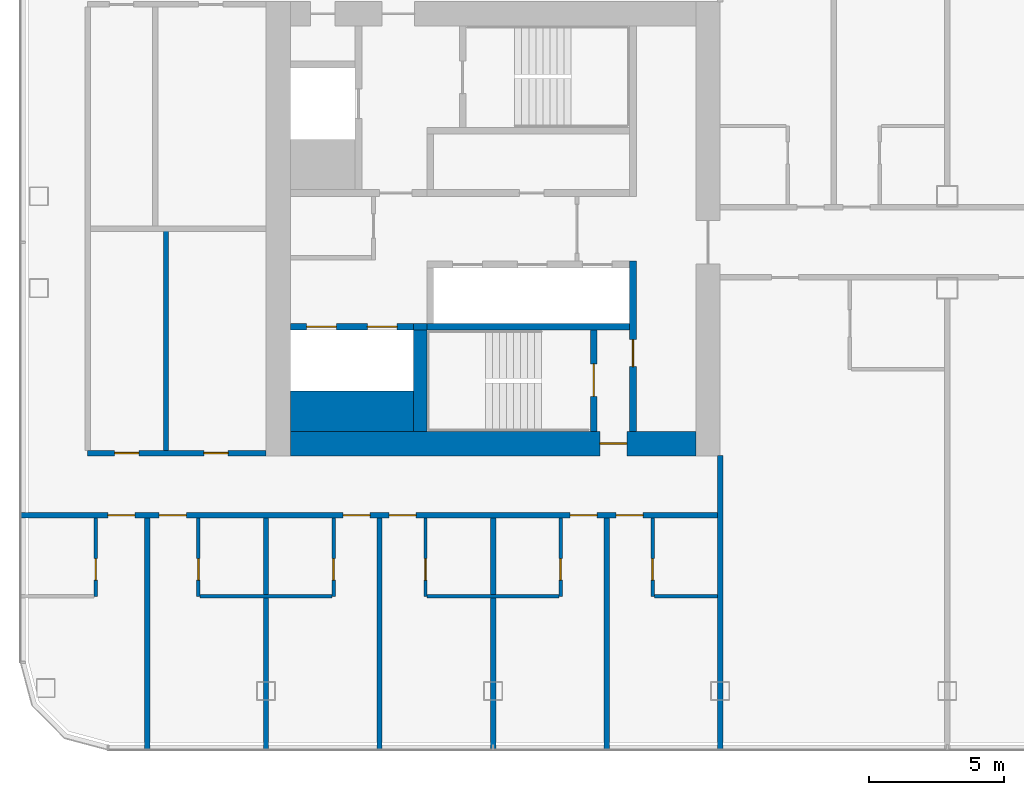
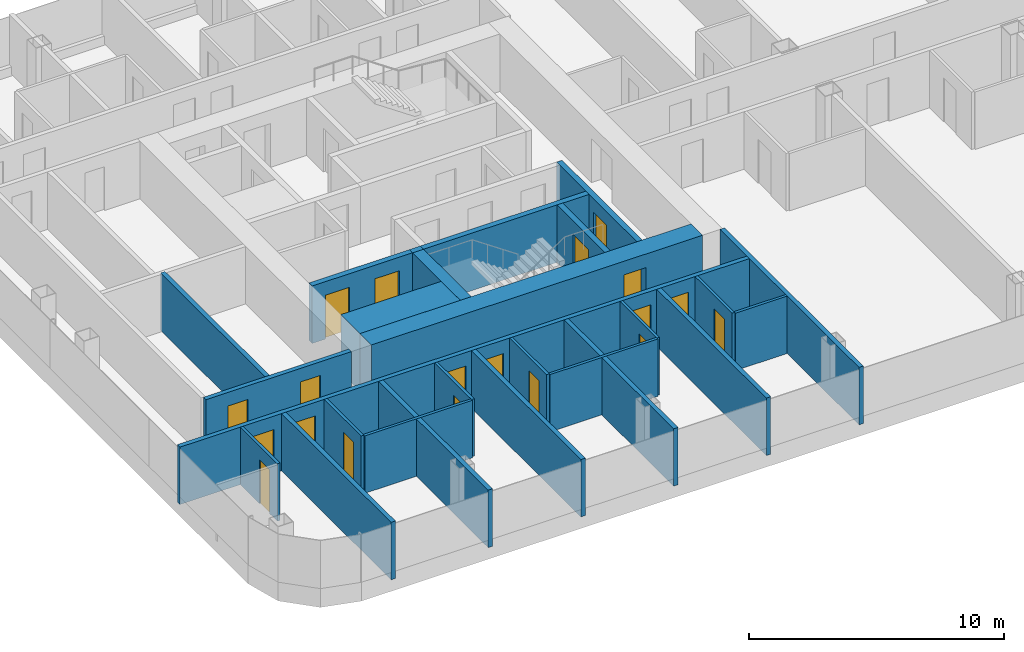
# One storey, part 12 of 26: 26 walls, 19 doors, 19 openings.
"""IFC4 building model written with IfcOpenShell, lengths in metres."""

from ifc_helpers import new_model, si_unit, direction, frame, frame_2d, origin, place, context, subcontext, project, spatial, rectangle, extrude, material, layer, layer_set, type_object, element, fill, save


model = new_model("IFC4")

# Units and contexts
model_context = context("Model", 3, precision=1e-05, world=origin(), true_north=direction((0.0, 1.0)))
body_context = subcontext(model_context, "Body", "Model", "MODEL_VIEW")
ifc_project = project(units=[si_unit("LENGTHUNIT", "METRE"), si_unit("AREAUNIT", "SQUARE_METRE"), si_unit("VOLUMEUNIT", "CUBIC_METRE"), si_unit("PLANEANGLEUNIT", "RADIAN"), si_unit("MASSUNIT", "GRAM", prefix="KILO")], contexts=[model_context])

# Site, building, storey
site_placement = place(None, origin())
site = spatial("IfcSite", under=ifc_project, at=site_placement, CompositionType="ELEMENT")
building_placement = place(site_placement, origin())
building = spatial("IfcBuilding", under=site, at=building_placement, Name="Hakoniwa Tower and Hamabe Station Hall", CompositionType="ELEMENT")
storey_placement = place(building_placement, frame((0.0, 0.0, 134.199951171875)))
storey = spatial("IfcBuildingStorey", under=building, at=storey_placement, Name="L37", CompositionType="ELEMENT", Elevation=134.199951171875)

# Walls
ifc_material_1 = material(Name="Gypsum board partition", Category="gypsum")
ifc_layer_1 = layer(ifc_material_1, 0.125)
ifc_layer_set_1 = layer_set([ifc_layer_1], Name="Bathroom Partition 125")
wall_type_1 = type_object("IfcWallType", Name="Bathroom Partition 125", PredefinedType="PARTITIONING", material=ifc_layer_set_1)
for number, where, z_axis, x_axis, name in (
    (1, (-36.03759765625, -13.60009765625, 0.0), (0.0, 0.0, 1.0), (1.0, 0.0, 0.0), "GW-L37-002"),
    (2, (-27.637451171875, -13.60009765625, 0.0), (0.0, 0.0, 1.0), (1.0, 0.0, 0.0), "GW-L37-003"),
):
    element("IfcWall", number, at=place(storey_placement, frame(where, z_axis=z_axis, x_axis=x_axis)), inside=storey, type_object=wall_type_1, Name=name, PredefinedType="PARTITIONING", context=body_context, shape_type="SweptSolid", body=[
        extrude(rectangle(XDim=4.875, YDim=0.125, at=frame_2d((2.4375, 0.0))), origin(), (0.0, 0.0, 1.0), 2.75),
    ])
wall_1_placement = place(storey_placement, frame((-19.237548828125, -13.60009765625, 0.0), z_axis=(0.0, 0.0, 1.0), x_axis=(1.0, 0.0, 0.0)))
element("IfcWall", 3, at=wall_1_placement, inside=storey, type_object=wall_type_1, Name="GW-L37-004", PredefinedType="PARTITIONING", context=body_context, shape_type="SweptSolid", body=[
    extrude(rectangle(XDim=2.337646484375, YDim=0.125, at=frame_2d((1.1689453125, 0.0))), origin(), (0.0, 0.0, 1.0), 2.75),
])

# Wall, opening, door
wall_2_placement = place(storey_placement, frame((-39.89990234375, -13.60009765625, 0.0), z_axis=(0.0, 0.0, 1.0), x_axis=(0.0, 1.0, 0.0)))
wall_2 = element("IfcWall", 4, at=wall_2_placement, inside=storey, type_object=wall_type_1, Name="GW-L37-035", PredefinedType="PARTITIONING", context=body_context, shape_type="SweptSolid", body=[
    extrude(rectangle(XDim=2.900146484375, YDim=0.125, at=frame_2d((1.4501953125, 0.0))), origin(), (0.0, 0.0, 1.0), 2.75),
])
opening_1_placement = place(wall_2_placement, frame((0.60009765625, 0.0, 0.0)))
opening_1 = element("IfcOpeningElement", 5, at=opening_1_placement, cuts=wall_2, Name="Opening GD-G3B0-43", PredefinedType="OPENING", context=body_context, shape_type="SweptSolid", body=[
    extrude(rectangle(XDim=0.800048828125, YDim=2.10009765625, at=frame_2d((0.39990234375, 1.050048828125))), frame((0.0, 0.072509765625, 0.0), z_axis=(0.0, -1.0, 0.0), x_axis=(1.0, 0.0, 0.0)), (0.0, 0.0, 1.0), 0.14501953125),
])
ifc_material_2 = material(Name="Timber door leaf", Category="wood")
door_type_1 = type_object("IfcDoorType", Name="Bathroom Door 800", OperationType="SINGLE_SWING_LEFT", PredefinedType="DOOR", material=ifc_material_2)
door_1_placement = place(opening_1_placement, origin())
door_1 = element("IfcDoor", 6, at=door_1_placement, inside=storey, type_object=door_type_1, Name="Door GD-G3B0-43", OperationType="SINGLE_SWING_RIGHT", OverallHeight=2.10009765625, OverallWidth=0.800048828125, PredefinedType="DOOR", context=body_context, shape_type="SweptSolid", body=[
    extrude(rectangle(XDim=0.800048828125, YDim=2.10009765625, at=frame_2d((0.39990234375, 1.050048828125))), frame((0.0, 0.02490234375, 0.0), z_axis=(0.0, -1.0, 0.0), x_axis=(1.0, 0.0, 0.0)), (0.0, 0.0, 1.0), 0.050048828125),
])
fill(opening_1, door_1)

wall_3_placement = place(storey_placement, frame((-36.10009765625, -13.60009765625, 0.0), z_axis=(0.0, 0.0, 1.0), x_axis=(0.0, 1.0, 0.0)))
wall_3 = element("IfcWall", 7, at=wall_3_placement, inside=storey, type_object=wall_type_1, Name="GW-L37-041", PredefinedType="PARTITIONING", context=body_context, shape_type="SweptSolid", body=[
    extrude(rectangle(XDim=2.900146484375, YDim=0.125, at=frame_2d((1.4501953125, 0.0))), origin(), (0.0, 0.0, 1.0), 2.75),
])
opening_2_placement = place(wall_3_placement, frame((0.60009765625, 0.0, 0.0)))
opening_2 = element("IfcOpeningElement", 8, at=opening_2_placement, cuts=wall_3, Name="Opening GD-G3B0-45", PredefinedType="OPENING", context=body_context, shape_type="SweptSolid", body=[
    extrude(rectangle(XDim=0.800048828125, YDim=2.10009765625, at=frame_2d((0.39990234375, 1.050048828125))), frame((0.0, 0.072509765625, 0.0), z_axis=(0.0, -1.0, 0.0), x_axis=(1.0, 0.0, 0.0)), (0.0, 0.0, 1.0), 0.14501953125),
])
door_2_placement = place(opening_2_placement, origin())
door_2 = element("IfcDoor", 9, at=door_2_placement, inside=storey, type_object=door_type_1, Name="Door GD-G3B0-45", OperationType="SINGLE_SWING_LEFT", OverallHeight=2.10009765625, OverallWidth=0.800048828125, PredefinedType="DOOR", context=body_context, shape_type="SweptSolid", body=[
    extrude(rectangle(XDim=0.800048828125, YDim=2.10009765625, at=frame_2d((0.39990234375, 1.050048828125))), frame((0.0, 0.02490234375, 0.0), z_axis=(0.0, -1.0, 0.0), x_axis=(1.0, 0.0, 0.0)), (0.0, 0.0, 1.0), 0.050048828125),
])
fill(opening_2, door_2)

wall_4_placement = place(storey_placement, frame((-31.10009765625, -13.60009765625, 0.0), z_axis=(0.0, 0.0, 1.0), x_axis=(0.0, 1.0, 0.0)))
wall_4 = element("IfcWall", 10, at=wall_4_placement, inside=storey, type_object=wall_type_1, Name="GW-L37-045", PredefinedType="PARTITIONING", context=body_context, shape_type="SweptSolid", body=[
    extrude(rectangle(XDim=2.900146484375, YDim=0.125, at=frame_2d((1.4501953125, 0.0))), origin(), (0.0, 0.0, 1.0), 2.75),
])
opening_3_placement = place(wall_4_placement, frame((0.60009765625, 0.0, 0.0)))
opening_3 = element("IfcOpeningElement", 11, at=opening_3_placement, cuts=wall_4, Name="Opening GD-G3B0-47", PredefinedType="OPENING", context=body_context, shape_type="SweptSolid", body=[
    extrude(rectangle(XDim=0.800048828125, YDim=2.10009765625, at=frame_2d((0.39990234375, 1.050048828125))), frame((0.0, 0.072509765625, 0.0), z_axis=(0.0, -1.0, 0.0), x_axis=(1.0, 0.0, 0.0)), (0.0, 0.0, 1.0), 0.14501953125),
])
door_3_placement = place(opening_3_placement, origin())
door_3 = element("IfcDoor", 12, at=door_3_placement, inside=storey, type_object=door_type_1, Name="Door GD-G3B0-47", OperationType="SINGLE_SWING_RIGHT", OverallHeight=2.10009765625, OverallWidth=0.800048828125, PredefinedType="DOOR", context=body_context, shape_type="SweptSolid", body=[
    extrude(rectangle(XDim=0.800048828125, YDim=2.10009765625, at=frame_2d((0.39990234375, 1.050048828125))), frame((0.0, 0.02490234375, 0.0), z_axis=(0.0, -1.0, 0.0), x_axis=(1.0, 0.0, 0.0)), (0.0, 0.0, 1.0), 0.050048828125),
])
fill(opening_3, door_3)

wall_5_placement = place(storey_placement, frame((-27.699951171875, -13.60009765625, 0.0), z_axis=(0.0, 0.0, 1.0), x_axis=(0.0, 1.0, 0.0)))
wall_5 = element("IfcWall", 13, at=wall_5_placement, inside=storey, type_object=wall_type_1, Name="GW-L37-049", PredefinedType="PARTITIONING", context=body_context, shape_type="SweptSolid", body=[
    extrude(rectangle(XDim=2.900146484375, YDim=0.125, at=frame_2d((1.4501953125, 0.0))), origin(), (0.0, 0.0, 1.0), 2.75),
])
opening_4_placement = place(wall_5_placement, frame((0.60009765625, 0.0, 0.0)))
opening_4 = element("IfcOpeningElement", 14, at=opening_4_placement, cuts=wall_5, Name="Opening GD-G3B0-49", PredefinedType="OPENING", context=body_context, shape_type="SweptSolid", body=[
    extrude(rectangle(XDim=0.800048828125, YDim=2.10009765625, at=frame_2d((0.39990234375, 1.050048828125))), frame((0.0, 0.072509765625, 0.0), z_axis=(0.0, -1.0, 0.0), x_axis=(1.0, 0.0, 0.0)), (0.0, 0.0, 1.0), 0.14501953125),
])
door_4_placement = place(opening_4_placement, origin())
door_4 = element("IfcDoor", 15, at=door_4_placement, inside=storey, type_object=door_type_1, Name="Door GD-G3B0-49", OperationType="SINGLE_SWING_LEFT", OverallHeight=2.10009765625, OverallWidth=0.800048828125, PredefinedType="DOOR", context=body_context, shape_type="SweptSolid", body=[
    extrude(rectangle(XDim=0.800048828125, YDim=2.10009765625, at=frame_2d((0.39990234375, 1.050048828125))), frame((0.0, 0.02490234375, 0.0), z_axis=(0.0, -1.0, 0.0), x_axis=(1.0, 0.0, 0.0)), (0.0, 0.0, 1.0), 0.050048828125),
])
fill(opening_4, door_4)

wall_6_placement = place(storey_placement, frame((-22.699951171875, -13.60009765625, 0.0), z_axis=(0.0, 0.0, 1.0), x_axis=(0.0, 1.0, 0.0)))
wall_6 = element("IfcWall", 16, at=wall_6_placement, inside=storey, type_object=wall_type_1, Name="GW-L37-053", PredefinedType="PARTITIONING", context=body_context, shape_type="SweptSolid", body=[
    extrude(rectangle(XDim=2.900146484375, YDim=0.125, at=frame_2d((1.4501953125, 0.0))), origin(), (0.0, 0.0, 1.0), 2.75),
])
opening_5_placement = place(wall_6_placement, frame((0.60009765625, 0.0, 0.0)))
opening_5 = element("IfcOpeningElement", 17, at=opening_5_placement, cuts=wall_6, Name="Opening GD-G3B0-51", PredefinedType="OPENING", context=body_context, shape_type="SweptSolid", body=[
    extrude(rectangle(XDim=0.800048828125, YDim=2.10009765625, at=frame_2d((0.39990234375, 1.050048828125))), frame((0.0, 0.072509765625, 0.0), z_axis=(0.0, -1.0, 0.0), x_axis=(1.0, 0.0, 0.0)), (0.0, 0.0, 1.0), 0.14501953125),
])
door_5_placement = place(opening_5_placement, origin())
door_5 = element("IfcDoor", 18, at=door_5_placement, inside=storey, type_object=door_type_1, Name="Door GD-G3B0-51", OperationType="SINGLE_SWING_RIGHT", OverallHeight=2.10009765625, OverallWidth=0.800048828125, PredefinedType="DOOR", context=body_context, shape_type="SweptSolid", body=[
    extrude(rectangle(XDim=0.800048828125, YDim=2.10009765625, at=frame_2d((0.39990234375, 1.050048828125))), frame((0.0, 0.02490234375, 0.0), z_axis=(0.0, -1.0, 0.0), x_axis=(1.0, 0.0, 0.0)), (0.0, 0.0, 1.0), 0.050048828125),
])
fill(opening_5, door_5)

wall_7_placement = place(storey_placement, frame((-19.300048828125, -13.60009765625, 0.0), z_axis=(0.0, 0.0, 1.0), x_axis=(0.0, 1.0, 0.0)))
wall_7 = element("IfcWall", 19, at=wall_7_placement, inside=storey, type_object=wall_type_1, Name="GW-L37-057", PredefinedType="PARTITIONING", context=body_context, shape_type="SweptSolid", body=[
    extrude(rectangle(XDim=2.900146484375, YDim=0.125, at=frame_2d((1.4501953125, 0.0))), origin(), (0.0, 0.0, 1.0), 2.75),
])
opening_6_placement = place(wall_7_placement, frame((0.60009765625, 0.0, 0.0)))
opening_6 = element("IfcOpeningElement", 20, at=opening_6_placement, cuts=wall_7, Name="Opening GD-G3B0-53", PredefinedType="OPENING", context=body_context, shape_type="SweptSolid", body=[
    extrude(rectangle(XDim=0.800048828125, YDim=2.10009765625, at=frame_2d((0.39990234375, 1.050048828125))), frame((0.0, 0.072509765625, 0.0), z_axis=(0.0, -1.0, 0.0), x_axis=(1.0, 0.0, 0.0)), (0.0, 0.0, 1.0), 0.14501953125),
])
door_6_placement = place(opening_6_placement, origin())
door_6 = element("IfcDoor", 21, at=door_6_placement, inside=storey, type_object=door_type_1, Name="Door GD-G3B0-53", OperationType="SINGLE_SWING_LEFT", OverallHeight=2.10009765625, OverallWidth=0.800048828125, PredefinedType="DOOR", context=body_context, shape_type="SweptSolid", body=[
    extrude(rectangle(XDim=0.800048828125, YDim=2.10009765625, at=frame_2d((0.39990234375, 1.050048828125))), frame((0.0, 0.02490234375, 0.0), z_axis=(0.0, -1.0, 0.0), x_axis=(1.0, 0.0, 0.0)), (0.0, 0.0, 1.0), 0.050048828125),
])
fill(opening_6, door_6)

ifc_material_3 = material(Name="Concrete C66", Category="concrete")
ifc_layer_2 = layer(ifc_material_3, 0.89990234375)
ifc_layer_set_2 = layer_set([ifc_layer_2], Name="CORE WALL 900 C66")
wall_type_2 = type_object("IfcWallType", Name="CORE WALL 900 C66", PredefinedType="SHEAR", material=ifc_layer_set_2)
wall_8_placement = place(storey_placement, frame((-32.699951171875, -7.949951171875, 0.0), z_axis=(0.0, 0.0, 1.0), x_axis=(1.0, 0.0, 0.0)))
wall_8 = element("IfcWall", 22, at=wall_8_placement, inside=storey, type_object=wall_type_2, Name="Core wall SOUTH west", PredefinedType="SHEAR", context=body_context, shape_type="SweptSolid", body=[
    extrude(rectangle(XDim=15.0, YDim=0.89990234375, at=frame_2d((7.5, 0.0))), origin(), (0.0, 0.0, 1.0), 2.75),
])
opening_7_placement = place(wall_8_placement, frame((11.449951171875, 0.0, 0.0)))
opening_7 = element("IfcOpeningElement", 23, at=opening_7_placement, cuts=wall_8, Name="Opening CD-W-FS3-10", PredefinedType="OPENING", context=body_context, shape_type="SweptSolid", body=[
    extrude(rectangle(XDim=1.0, YDim=2.10009765625, at=frame_2d((0.5, 1.050048828125))), frame((0.0, 0.4599609375, 0.0), z_axis=(0.0, -1.0, 0.0), x_axis=(1.0, 0.0, 0.0)), (0.0, 0.0, 1.0), 0.919921875),
])
ifc_material_4 = material(Name="Steel fire door", Category="steel")
door_type_2 = type_object("IfcDoorType", Name="CORE DOOR 1000 FD60", OperationType="NOTDEFINED", PredefinedType="DOOR", material=ifc_material_4)
door_7_placement = place(opening_7_placement, origin())
door_7 = element("IfcDoor", 24, at=door_7_placement, inside=storey, type_object=door_type_2, Name="Stair vestibule door", OperationType="SINGLE_SWING_RIGHT", OverallHeight=2.10009765625, OverallWidth=1.0, PredefinedType="DOOR", context=body_context, shape_type="SweptSolid", body=[
    extrude(rectangle(XDim=1.0, YDim=2.10009765625, at=frame_2d((0.5, 1.050048828125))), frame((0.0, 0.02490234375, 0.0), z_axis=(0.0, -1.0, 0.0), x_axis=(1.0, 0.0, 0.0)), (0.0, 0.0, 1.0), 0.050048828125),
])
fill(opening_7, door_7)

# Wall
ifc_material_5 = material(Name="Concrete C66", Category="concrete")
ifc_layer_3 = layer(ifc_material_5, 1.5)
ifc_layer_set_3 = layer_set([ifc_layer_3], Name="CORE WEB WALL 1500 C66")
wall_type_3 = type_object("IfcWallType", Name="CORE WEB WALL 1500 C66", PredefinedType="SHEAR", material=ifc_layer_set_3)
wall_9_placement = place(storey_placement, frame((-32.699951171875, -6.75, 0.0), z_axis=(0.0, 0.0, 1.0), x_axis=(1.0, 0.0, 0.0)))
element("IfcWall", 25, at=wall_9_placement, inside=storey, type_object=wall_type_3, Name="Core wall SER west", PredefinedType="SHEAR", context=body_context, shape_type="SweptSolid", body=[
    extrude(rectangle(XDim=4.550048828125, YDim=1.5, at=frame_2d((2.27490234375, 0.0))), origin(), (0.0, 0.0, 1.0), 2.75),
])

# Wall, opening, door
ifc_material_6 = material(Name="Concrete C66", Category="concrete")
ifc_layer_4 = layer(ifc_material_6, 0.25)
ifc_layer_set_4 = layer_set([ifc_layer_4], Name="CORE WEB WALL 250 C66")
wall_type_4 = type_object("IfcWallType", Name="CORE WEB WALL 250 C66", PredefinedType="SHEAR", material=ifc_layer_set_4)
wall_10_placement = place(storey_placement, frame((-20.02490234375, -7.5, 0.0), z_axis=(0.0, 0.0, 1.0), x_axis=(0.0, 1.0, 0.0)))
wall_10 = element("IfcWall", 26, at=wall_10_placement, inside=storey, type_object=wall_type_4, Name="Core wall W1S west", PredefinedType="SHEAR", context=body_context, shape_type="SweptSolid", body=[
    extrude(rectangle(XDim=6.300048828125, YDim=0.25, at=frame_2d((3.14990234375, 0.0))), origin(), (0.0, 0.0, 1.0), 2.75),
])
opening_8_placement = place(wall_10_placement, frame((2.39990234375, 0.0, 0.0)))
opening_8 = element("IfcOpeningElement", 27, at=opening_8_placement, cuts=wall_10, Name="Opening CD-W-VS-10", PredefinedType="OPENING", context=body_context, shape_type="SweptSolid", body=[
    extrude(rectangle(XDim=1.0, YDim=2.10009765625, at=frame_2d((0.5, 1.050048828125))), frame((0.0, 0.135009765625, 0.0), z_axis=(0.0, -1.0, 0.0), x_axis=(1.0, 0.0, 0.0)), (0.0, 0.0, 1.0), 0.27001953125),
])
door_8_placement = place(opening_8_placement, origin())
door_8 = element("IfcDoor", 28, at=door_8_placement, inside=storey, type_object=door_type_2, Name="Stair vestibule door", OperationType="SINGLE_SWING_LEFT", OverallHeight=2.10009765625, OverallWidth=1.0, PredefinedType="DOOR", context=body_context, shape_type="SweptSolid", body=[
    extrude(rectangle(XDim=1.0, YDim=2.10009765625, at=frame_2d((0.5, 1.050048828125))), frame((0.0, 0.02490234375, 0.0), z_axis=(0.0, -1.0, 0.0), x_axis=(1.0, 0.0, 0.0)), (0.0, 0.0, 1.0), 0.050048828125),
])
fill(opening_8, door_8)

# Wall
wall_11_placement = place(storey_placement, frame((-27.64990234375, -3.625, 0.0), z_axis=(0.0, 0.0, 1.0), x_axis=(1.0, 0.0, 0.0)))
element("IfcWall", 29, at=wall_11_placement, inside=storey, type_object=wall_type_4, Name="Core wall SR west", PredefinedType="SHEAR", context=body_context, shape_type="SweptSolid", body=[
    extrude(rectangle(XDim=7.5, YDim=0.25, at=frame_2d((3.75, 0.0))), origin(), (0.0, 0.0, 1.0), 2.75),
])

# Wall, opening, door
wall_12_placement = place(storey_placement, frame((-21.47509765625, -7.5, 0.0), z_axis=(0.0, 0.0, 1.0), x_axis=(0.0, 1.0, 0.0)))
wall_12 = element("IfcWall", 30, at=wall_12_placement, inside=storey, type_object=wall_type_4, Name="Core wall VE west", PredefinedType="SHEAR", context=body_context, shape_type="SweptSolid", body=[
    extrude(rectangle(XDim=3.75, YDim=0.25, at=frame_2d((1.875, 0.0))), origin(), (0.0, 0.0, 1.0), 2.75),
])
opening_9_placement = place(wall_12_placement, frame((1.300048828125, 0.0, 0.0)))
opening_9 = element("IfcOpeningElement", 31, at=opening_9_placement, cuts=wall_12, Name="Opening CD-W-SS-12", PredefinedType="OPENING", context=body_context, shape_type="SweptSolid", body=[
    extrude(rectangle(XDim=1.199951171875, YDim=2.10009765625, at=frame_2d((0.60009765625, 1.050048828125))), frame((0.0, 0.135009765625, 0.0), z_axis=(0.0, -1.0, 0.0), x_axis=(1.0, 0.0, 0.0)), (0.0, 0.0, 1.0), 0.27001953125),
])
ifc_material_7 = material(Name="Steel fire door", Category="steel")
door_type_3 = type_object("IfcDoorType", Name="CORE DOOR 1200 FD60", OperationType="DOUBLE_DOOR_SINGLE_SWING", PredefinedType="DOOR", material=ifc_material_7)
door_9_placement = place(opening_9_placement, origin())
door_9 = element("IfcDoor", 32, at=door_9_placement, inside=storey, type_object=door_type_3, Name="Escape stair door", OperationType="DOUBLE_DOOR_SINGLE_SWING", OverallHeight=2.10009765625, OverallWidth=1.199951171875, PredefinedType="DOOR", context=body_context, shape_type="SweptSolid", body=[
    extrude(rectangle(XDim=1.199951171875, YDim=2.10009765625, at=frame_2d((0.60009765625, 1.050048828125))), frame((0.0, 0.02490234375, 0.0), z_axis=(0.0, -1.0, 0.0), x_axis=(1.0, 0.0, 0.0)), (0.0, 0.0, 1.0), 0.050048828125),
])
fill(opening_9, door_9)

# Wall, openings, doors
wall_13_placement = place(storey_placement, frame((-32.699951171875, -3.625, 0.0), z_axis=(0.0, 0.0, 1.0), x_axis=(1.0, 0.0, 0.0)))
wall_13 = element("IfcWall", 33, at=wall_13_placement, inside=storey, type_object=wall_type_4, Name="Core wall SEF west", PredefinedType="SHEAR", context=body_context, shape_type="SweptSolid", body=[
    extrude(rectangle(XDim=4.550048828125, YDim=0.25, at=frame_2d((2.27490234375, 0.0))), origin(), (0.0, 0.0, 1.0), 2.75),
])
opening_10_placement = place(wall_13_placement, frame((2.85009765625, 0.0, 0.0)))
opening_10 = element("IfcOpeningElement", 34, at=opening_10_placement, cuts=wall_13, Name="Opening LD-SV1", PredefinedType="OPENING", context=body_context, shape_type="SweptSolid", body=[
    extrude(rectangle(XDim=1.10009765625, YDim=2.10009765625, at=frame_2d((0.550048828125, 1.050048828125))), frame((0.0, 0.135009765625, 0.0), z_axis=(0.0, -1.0, 0.0), x_axis=(1.0, 0.0, 0.0)), (0.0, 0.0, 1.0), 0.27001953125),
])
opening_11_placement = place(wall_13_placement, frame((0.60009765625, 0.0, 0.0)))
opening_11 = element("IfcOpeningElement", 35, at=opening_11_placement, cuts=wall_13, Name="Opening LD-SV2", PredefinedType="OPENING", context=body_context, shape_type="SweptSolid", body=[
    extrude(rectangle(XDim=1.10009765625, YDim=2.10009765625, at=frame_2d((0.550048828125, 1.050048828125))), frame((0.0, 0.135009765625, 0.0), z_axis=(0.0, -1.0, 0.0), x_axis=(1.0, 0.0, 0.0)), (0.0, 0.0, 1.0), 0.27001953125),
])
ifc_material_8 = material(Name="Stainless steel SUS304", Category="steel")
door_type_4 = type_object("IfcDoorType", Name="LIFT LANDING DOOR 1100 FD60", OperationType="DOUBLE_DOOR_SLIDING", PredefinedType="DOOR", material=ifc_material_8)
door_10_placement = place(opening_10_placement, origin())
door_10 = element("IfcDoor", 36, at=door_10_placement, inside=storey, type_object=door_type_4, Name="Lift landing door SV1 L37", OperationType="DOUBLE_DOOR_SLIDING", OverallHeight=2.10009765625, OverallWidth=1.10009765625, PredefinedType="DOOR", context=body_context, shape_type="SweptSolid", body=[
    extrude(rectangle(XDim=1.10009765625, YDim=2.10009765625, at=frame_2d((0.550048828125, 1.050048828125))), frame((0.0, 0.02490234375, 0.0), z_axis=(0.0, -1.0, 0.0), x_axis=(1.0, 0.0, 0.0)), (0.0, 0.0, 1.0), 0.050048828125),
])
fill(opening_10, door_10)
door_11_placement = place(opening_11_placement, origin())
door_11 = element("IfcDoor", 37, at=door_11_placement, inside=storey, type_object=door_type_4, Name="Lift landing door SV2 L37", OperationType="DOUBLE_DOOR_SLIDING", OverallHeight=2.10009765625, OverallWidth=1.10009765625, PredefinedType="DOOR", context=body_context, shape_type="SweptSolid", body=[
    extrude(rectangle(XDim=1.10009765625, YDim=2.10009765625, at=frame_2d((0.550048828125, 1.050048828125))), frame((0.0, 0.02490234375, 0.0), z_axis=(0.0, -1.0, 0.0), x_axis=(1.0, 0.0, 0.0)), (0.0, 0.0, 1.0), 0.050048828125),
])
fill(opening_11, door_11)

# Walls
wall_14_placement = place(storey_placement, frame((-28.14990234375, -3.625, 0.0), z_axis=(0.0, 0.0, 1.0), x_axis=(1.0, 0.0, 0.0)))
element("IfcWall", 38, at=wall_14_placement, inside=storey, type_object=wall_type_4, Name="Core wall SRK west", PredefinedType="SHEAR", context=body_context, shape_type="SweptSolid", body=[
    extrude(rectangle(XDim=0.5, YDim=0.25, at=frame_2d((0.25, 0.0))), origin(), (0.0, 0.0, 1.0), 2.75),
])
ifc_material_9 = material(Name="Concrete C66", Category="concrete")
ifc_layer_5 = layer(ifc_material_9, 0.5)
ifc_layer_set_5 = layer_set([ifc_layer_5], Name="CORE WEB WALL 500 C66")
wall_type_5 = type_object("IfcWallType", Name="CORE WEB WALL 500 C66", PredefinedType="SHEAR", material=ifc_layer_set_5)
wall_15_placement = place(storey_placement, frame((-27.89990234375, -7.5, 0.0), z_axis=(0.0, 0.0, 1.0), x_axis=(0.0, 1.0, 0.0)))
element("IfcWall", 39, at=wall_15_placement, inside=storey, type_object=wall_type_5, Name="Core wall SSE west", PredefinedType="SHEAR", context=body_context, shape_type="SweptSolid", body=[
    extrude(rectangle(XDim=3.75, YDim=0.5, at=frame_2d((1.875, 0.0))), origin(), (0.0, 0.0, 1.0), 2.75),
])

# Wall, openings, doors
ifc_material_10 = material(Name="Fire-rated gypsum board partition", Category="gypsum")
ifc_layer_6 = layer(ifc_material_10, 0.199951171875)
ifc_layer_set_6 = layer_set([ifc_layer_6], Name="Corridor Wall 200")
wall_type_6 = type_object("IfcWallType", Name="Corridor Wall 200", PredefinedType="PARTITIONING", material=ifc_layer_set_6)
wall_16_placement = place(storey_placement, frame((-42.699951171875, -10.60009765625, 0.0), z_axis=(0.0, 0.0, 1.0), x_axis=(1.0, 0.0, 0.0)))
wall_16 = element("IfcWall", 40, at=wall_16_placement, inside=storey, type_object=wall_type_6, Name="GW-L37-009", PredefinedType="PARTITIONING", context=body_context, shape_type="SweptSolid", body=[
    extrude(rectangle(XDim=25.89990234375, YDim=0.199951171875, at=frame_2d((12.949951171875, 0.0))), origin(), (0.0, 0.0, 1.0), 2.75),
])
opening_12_placement = place(wall_16_placement, frame((3.25, 0.0, 0.0)))
opening_12 = element("IfcOpeningElement", 41, at=opening_12_placement, cuts=wall_16, Name="Opening GD-G3B0-01", PredefinedType="OPENING", context=body_context, shape_type="SweptSolid", body=[
    extrude(rectangle(XDim=1.0, YDim=2.10009765625, at=frame_2d((0.5, 1.050048828125))), frame((0.0, 0.10986328125, 0.0), z_axis=(0.0, -1.0, 0.0), x_axis=(1.0, 0.0, 0.0)), (0.0, 0.0, 1.0), 0.219970703125),
])
opening_13_placement = place(wall_16_placement, frame((5.14990234375, 0.0, 0.0)))
opening_13 = element("IfcOpeningElement", 42, at=opening_13_placement, cuts=wall_16, Name="Opening GD-G3B0-02", PredefinedType="OPENING", context=body_context, shape_type="SweptSolid", body=[
    extrude(rectangle(XDim=1.0, YDim=2.10009765625, at=frame_2d((0.5, 1.050048828125))), frame((0.0, 0.10986328125, 0.0), z_axis=(0.0, -1.0, 0.0), x_axis=(1.0, 0.0, 0.0)), (0.0, 0.0, 1.0), 0.219970703125),
])
opening_14_placement = place(wall_16_placement, frame((11.949951171875, 0.0, 0.0)))
opening_14 = element("IfcOpeningElement", 43, at=opening_14_placement, cuts=wall_16, Name="Opening GD-G3B0-03", PredefinedType="OPENING", context=body_context, shape_type="SweptSolid", body=[
    extrude(rectangle(XDim=1.0, YDim=2.10009765625, at=frame_2d((0.5, 1.050048828125))), frame((0.0, 0.10986328125, 0.0), z_axis=(0.0, -1.0, 0.0), x_axis=(1.0, 0.0, 0.0)), (0.0, 0.0, 1.0), 0.219970703125),
])
opening_15_placement = place(wall_16_placement, frame((13.64990234375, 0.0, 0.0)))
opening_15 = element("IfcOpeningElement", 44, at=opening_15_placement, cuts=wall_16, Name="Opening GD-G3B0-04", PredefinedType="OPENING", context=body_context, shape_type="SweptSolid", body=[
    extrude(rectangle(XDim=1.0, YDim=2.10009765625, at=frame_2d((0.5, 1.050048828125))), frame((0.0, 0.10986328125, 0.0), z_axis=(0.0, -1.0, 0.0), x_axis=(1.0, 0.0, 0.0)), (0.0, 0.0, 1.0), 0.219970703125),
])
opening_16_placement = place(wall_16_placement, frame((20.35009765625, 0.0, 0.0)))
opening_16 = element("IfcOpeningElement", 45, at=opening_16_placement, cuts=wall_16, Name="Opening GD-G3B0-05", PredefinedType="OPENING", context=body_context, shape_type="SweptSolid", body=[
    extrude(rectangle(XDim=1.0, YDim=2.10009765625, at=frame_2d((0.5, 1.050048828125))), frame((0.0, 0.10986328125, 0.0), z_axis=(0.0, -1.0, 0.0), x_axis=(1.0, 0.0, 0.0)), (0.0, 0.0, 1.0), 0.219970703125),
])
opening_17_placement = place(wall_16_placement, frame((22.050048828125, 0.0, 0.0)))
opening_17 = element("IfcOpeningElement", 46, at=opening_17_placement, cuts=wall_16, Name="Opening GD-G3B0-06", PredefinedType="OPENING", context=body_context, shape_type="SweptSolid", body=[
    extrude(rectangle(XDim=1.0, YDim=2.10009765625, at=frame_2d((0.5, 1.050048828125))), frame((0.0, 0.10986328125, 0.0), z_axis=(0.0, -1.0, 0.0), x_axis=(1.0, 0.0, 0.0)), (0.0, 0.0, 1.0), 0.219970703125),
])
ifc_material_11 = material(Name="Timber door leaf", Category="wood")
door_type_5 = type_object("IfcDoorType", Name="Guest Entrance Door 1000", OperationType="SINGLE_SWING_LEFT", PredefinedType="DOOR", material=ifc_material_11)
door_12_placement = place(opening_12_placement, origin())
door_12 = element("IfcDoor", 47, at=door_12_placement, inside=storey, type_object=door_type_5, Name="Door GD-G3B0-01", OperationType="SINGLE_SWING_LEFT", OverallHeight=2.10009765625, OverallWidth=1.0, PredefinedType="DOOR", context=body_context, shape_type="SweptSolid", body=[
    extrude(rectangle(XDim=1.0, YDim=2.10009765625, at=frame_2d((0.5, 1.050048828125))), frame((0.0, 0.02490234375, 0.0), z_axis=(0.0, -1.0, 0.0), x_axis=(1.0, 0.0, 0.0)), (0.0, 0.0, 1.0), 0.050048828125),
])
fill(opening_12, door_12)
door_13_placement = place(opening_13_placement, origin())
door_13 = element("IfcDoor", 48, at=door_13_placement, inside=storey, type_object=door_type_5, Name="Door GD-G3B0-02", OperationType="SINGLE_SWING_RIGHT", OverallHeight=2.10009765625, OverallWidth=1.0, PredefinedType="DOOR", context=body_context, shape_type="SweptSolid", body=[
    extrude(rectangle(XDim=1.0, YDim=2.10009765625, at=frame_2d((0.5, 1.050048828125))), frame((0.0, 0.02490234375, 0.0), z_axis=(0.0, -1.0, 0.0), x_axis=(1.0, 0.0, 0.0)), (0.0, 0.0, 1.0), 0.050048828125),
])
fill(opening_13, door_13)
door_14_placement = place(opening_14_placement, origin())
door_14 = element("IfcDoor", 49, at=door_14_placement, inside=storey, type_object=door_type_5, Name="Door GD-G3B0-03", OperationType="SINGLE_SWING_LEFT", OverallHeight=2.10009765625, OverallWidth=1.0, PredefinedType="DOOR", context=body_context, shape_type="SweptSolid", body=[
    extrude(rectangle(XDim=1.0, YDim=2.10009765625, at=frame_2d((0.5, 1.050048828125))), frame((0.0, 0.02490234375, 0.0), z_axis=(0.0, -1.0, 0.0), x_axis=(1.0, 0.0, 0.0)), (0.0, 0.0, 1.0), 0.050048828125),
])
fill(opening_14, door_14)
door_15_placement = place(opening_15_placement, origin())
door_15 = element("IfcDoor", 50, at=door_15_placement, inside=storey, type_object=door_type_5, Name="Door GD-G3B0-04", OperationType="SINGLE_SWING_RIGHT", OverallHeight=2.10009765625, OverallWidth=1.0, PredefinedType="DOOR", context=body_context, shape_type="SweptSolid", body=[
    extrude(rectangle(XDim=1.0, YDim=2.10009765625, at=frame_2d((0.5, 1.050048828125))), frame((0.0, 0.02490234375, 0.0), z_axis=(0.0, -1.0, 0.0), x_axis=(1.0, 0.0, 0.0)), (0.0, 0.0, 1.0), 0.050048828125),
])
fill(opening_15, door_15)
door_16_placement = place(opening_16_placement, origin())
door_16 = element("IfcDoor", 51, at=door_16_placement, inside=storey, type_object=door_type_5, Name="Door GD-G3B0-05", OperationType="SINGLE_SWING_LEFT", OverallHeight=2.10009765625, OverallWidth=1.0, PredefinedType="DOOR", context=body_context, shape_type="SweptSolid", body=[
    extrude(rectangle(XDim=1.0, YDim=2.10009765625, at=frame_2d((0.5, 1.050048828125))), frame((0.0, 0.02490234375, 0.0), z_axis=(0.0, -1.0, 0.0), x_axis=(1.0, 0.0, 0.0)), (0.0, 0.0, 1.0), 0.050048828125),
])
fill(opening_16, door_16)
door_17_placement = place(opening_17_placement, origin())
door_17 = element("IfcDoor", 52, at=door_17_placement, inside=storey, type_object=door_type_5, Name="Door GD-G3B0-06", OperationType="SINGLE_SWING_RIGHT", OverallHeight=2.10009765625, OverallWidth=1.0, PredefinedType="DOOR", context=body_context, shape_type="SweptSolid", body=[
    extrude(rectangle(XDim=1.0, YDim=2.10009765625, at=frame_2d((0.5, 1.050048828125))), frame((0.0, 0.02490234375, 0.0), z_axis=(0.0, -1.0, 0.0), x_axis=(1.0, 0.0, 0.0)), (0.0, 0.0, 1.0), 0.050048828125),
])
fill(opening_17, door_17)

wall_17_placement = place(storey_placement, frame((-40.199951171875, -8.300048828125, 0.0), z_axis=(0.0, 0.0, 1.0), x_axis=(1.0, 0.0, 0.0)))
wall_17 = element("IfcWall", 53, at=wall_17_placement, inside=storey, type_object=wall_type_6, Name="GW-L37-011", PredefinedType="PARTITIONING", context=body_context, shape_type="SweptSolid", body=[
    extrude(rectangle(XDim=6.599853515625, YDim=0.199951171875, at=frame_2d((3.2998046875, 0.0))), origin(), (0.0, 0.0, 1.0), 2.75),
])
opening_18_placement = place(wall_17_placement, frame((1.0, 0.0, 0.0)))
opening_18 = element("IfcOpeningElement", 54, at=opening_18_placement, cuts=wall_17, Name="Opening GD-G3B0-13", PredefinedType="OPENING", context=body_context, shape_type="SweptSolid", body=[
    extrude(rectangle(XDim=0.89990234375, YDim=2.10009765625, at=frame_2d((0.449951171875, 1.050048828125))), frame((0.0, 0.10986328125, 0.0), z_axis=(0.0, -1.0, 0.0), x_axis=(1.0, 0.0, 0.0)), (0.0, 0.0, 1.0), 0.219970703125),
])
opening_19_placement = place(wall_17_placement, frame((4.300048828125, 0.0, 0.0)))
opening_19 = element("IfcOpeningElement", 55, at=opening_19_placement, cuts=wall_17, Name="Opening GD-G3B0-14", PredefinedType="OPENING", context=body_context, shape_type="SweptSolid", body=[
    extrude(rectangle(XDim=0.89990234375, YDim=2.10009765625, at=frame_2d((0.449951171875, 1.050048828125))), frame((0.0, 0.10986328125, 0.0), z_axis=(0.0, -1.0, 0.0), x_axis=(1.0, 0.0, 0.0)), (0.0, 0.0, 1.0), 0.219970703125),
])
ifc_material_12 = material(Name="Timber door leaf", Category="wood")
door_type_6 = type_object("IfcDoorType", Name="Service Door 900", OperationType="SINGLE_SWING_LEFT", PredefinedType="DOOR", material=ifc_material_12)
door_18_placement = place(opening_18_placement, origin())
door_18 = element("IfcDoor", 56, at=door_18_placement, inside=storey, type_object=door_type_6, Name="Door GD-G3B0-13", OperationType="SINGLE_SWING_LEFT", OverallHeight=2.10009765625, OverallWidth=0.89990234375, PredefinedType="DOOR", context=body_context, shape_type="SweptSolid", body=[
    extrude(rectangle(XDim=0.89990234375, YDim=2.10009765625, at=frame_2d((0.449951171875, 1.050048828125))), frame((0.0, 0.02490234375, 0.0), z_axis=(0.0, -1.0, 0.0), x_axis=(1.0, 0.0, 0.0)), (0.0, 0.0, 1.0), 0.050048828125),
])
fill(opening_18, door_18)
door_19_placement = place(opening_19_placement, origin())
door_19 = element("IfcDoor", 57, at=door_19_placement, inside=storey, type_object=door_type_6, Name="Door GD-G3B0-14", OperationType="SINGLE_SWING_RIGHT", OverallHeight=2.10009765625, OverallWidth=0.89990234375, PredefinedType="DOOR", context=body_context, shape_type="SweptSolid", body=[
    extrude(rectangle(XDim=0.89990234375, YDim=2.10009765625, at=frame_2d((0.449951171875, 1.050048828125))), frame((0.0, 0.02490234375, 0.0), z_axis=(0.0, -1.0, 0.0), x_axis=(1.0, 0.0, 0.0)), (0.0, 0.0, 1.0), 0.050048828125),
])
fill(opening_19, door_19)

# Walls
ifc_material_13 = material(Name="Fire-rated gypsum board partition", Category="gypsum")
ifc_layer_7 = layer(ifc_material_13, 0.199951171875)
ifc_layer_set_7 = layer_set([ifc_layer_7], Name="Party Wall 200")
wall_type_7 = type_object("IfcWallType", Name="Party Wall 200", PredefinedType="PARTITIONING", material=ifc_layer_set_7)
wall_18_placement = place(storey_placement, frame((-38.0, -19.300048828125, 0.0), z_axis=(0.0, 0.0, 1.0), x_axis=(0.0, 1.0, 0.0)))
element("IfcWall", 58, at=wall_18_placement, inside=storey, type_object=wall_type_7, Name="GW-L37-037", PredefinedType="PARTITIONING", context=body_context, shape_type="SweptSolid", body=[
    extrude(rectangle(XDim=8.60009765625, YDim=0.199951171875, at=frame_2d((4.300048828125, 0.0))), origin(), (0.0, 0.0, 1.0), 2.75),
])
wall_19_placement = place(storey_placement, frame((-37.300048828125, -8.199951171875, 0.0), z_axis=(0.0, 0.0, 1.0), x_axis=(0.0, 1.0, 0.0)))
element("IfcWall", 59, at=wall_19_placement, inside=storey, type_object=wall_type_7, Name="GW-L37-040", PredefinedType="PARTITIONING", context=body_context, shape_type="SweptSolid", body=[
    extrude(rectangle(XDim=8.199951171875, YDim=0.199951171875, at=frame_2d((4.10009765625, 0.0))), origin(), (0.0, 0.0, 1.0), 2.75),
])
for number, where, z_axis, x_axis, name in (
    (60, (-33.60009765625, -19.300048828125, 0.0), (0.0, 0.0, 1.0), (0.0, 1.0, 0.0), "GW-L37-043"),
    (61, (-29.39990234375, -19.300048828125, 0.0), (0.0, 0.0, 1.0), (0.0, 1.0, 0.0), "GW-L37-047"),
    (62, (-25.199951171875, -19.300048828125, 0.0), (0.0, 0.0, 1.0), (0.0, 1.0, 0.0), "GW-L37-051"),
    (63, (-21.0, -19.300048828125, 0.0), (0.0, 0.0, 1.0), (0.0, 1.0, 0.0), "GW-L37-055"),
):
    element("IfcWall", number, at=place(storey_placement, frame(where, z_axis=z_axis, x_axis=x_axis)), inside=storey, type_object=wall_type_7, Name=name, PredefinedType="PARTITIONING", context=body_context, shape_type="SweptSolid", body=[
        extrude(rectangle(XDim=8.60009765625, YDim=0.199951171875, at=frame_2d((4.300048828125, 0.0))), origin(), (0.0, 0.0, 1.0), 2.75),
    ])
wall_20_placement = place(storey_placement, frame((-16.800048828125, -19.300048828125, 0.0), z_axis=(0.0, 0.0, 1.0), x_axis=(0.0, 1.0, 0.0)))
element("IfcWall", 64, at=wall_20_placement, inside=storey, type_object=wall_type_7, Name="GW-L37-059", PredefinedType="PARTITIONING", context=body_context, shape_type="SweptSolid", body=[
    extrude(rectangle(XDim=10.91015625, YDim=0.199951171875, at=frame_2d((5.455078125, 0.0))), origin(), (0.0, 0.0, 1.0), 2.75),
])

save(model, "model.ifc")
